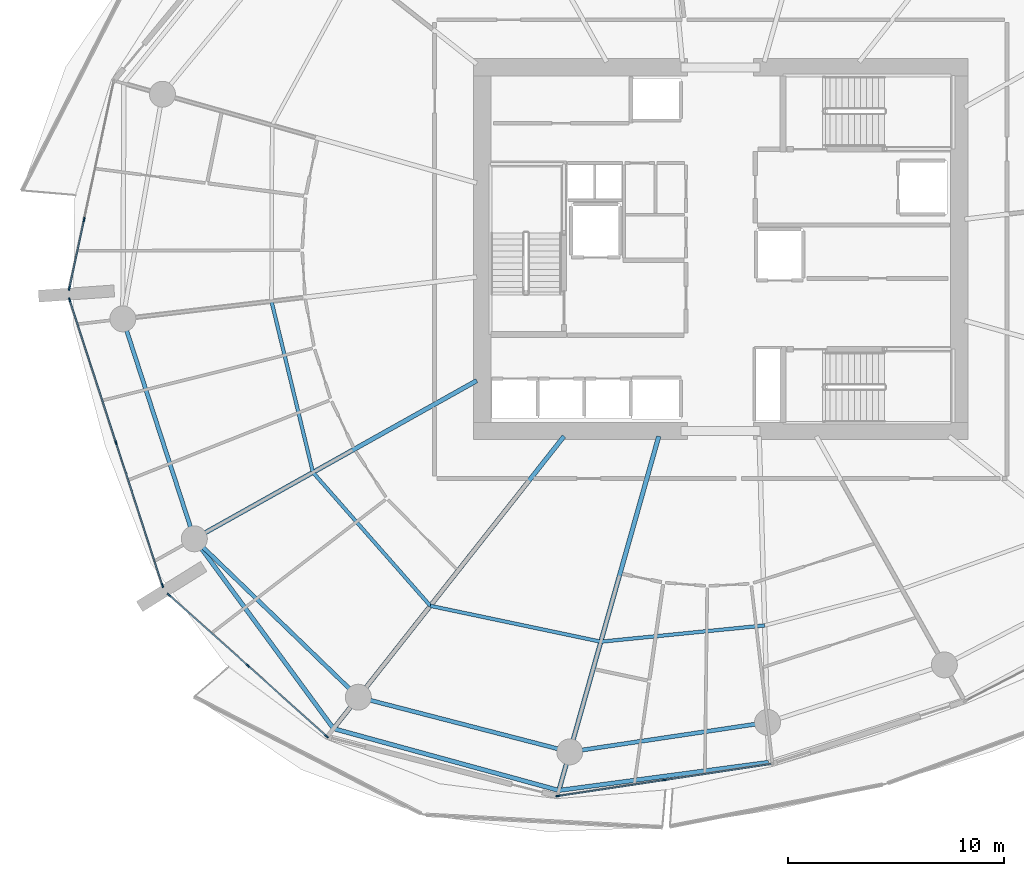
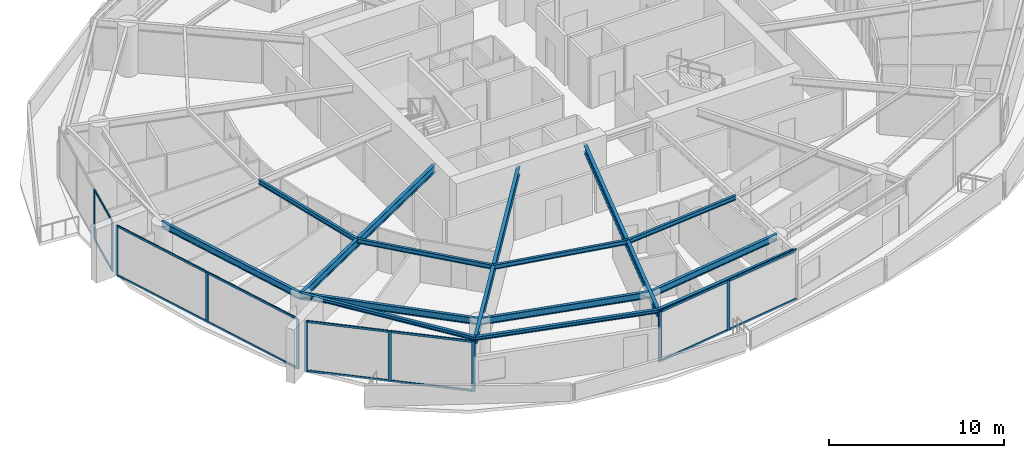
# One storey, part 5 of 23: 24 members, 14 beams, 4 elements without a shape of their own.
"""IFC4 building model written with IfcOpenShell, lengths in metres."""

from ifc_helpers import new_model, si_unit, direction, frame, origin, origin_2d, place, context, subcontext, project, spatial, rectangle, i_section, extrude, material, layer, layer_set, material_profile, profile_set, type_object, element, aggregate, save


model = new_model("IFC4")

# Units and contexts
model_context = context("Model", 3, precision=1e-05, world=origin(), true_north=direction((0.0, 1.0)))
body_context = subcontext(model_context, "Body", "Model", "MODEL_VIEW")
ifc_project = project(units=[si_unit("LENGTHUNIT", "METRE"), si_unit("AREAUNIT", "SQUARE_METRE"), si_unit("VOLUMEUNIT", "CUBIC_METRE"), si_unit("PLANEANGLEUNIT", "RADIAN"), si_unit("MASSUNIT", "GRAM", prefix="KILO")], contexts=[model_context])

# Site, building, storey
site_placement = place(None, origin())
site = spatial("IfcSite", under=ifc_project, at=site_placement, CompositionType="ELEMENT")
building_placement = place(site_placement, origin())
building = spatial("IfcBuilding", under=site, at=building_placement, Name="Kazma Halo Residences", CompositionType="ELEMENT")
storey_placement = place(building_placement, frame((0.0, 0.0, 97.64990234375)))
storey = spatial("IfcBuildingStorey", under=building, at=storey_placement, Name="L24", CompositionType="ELEMENT", Elevation=97.64990234375)

# Beams
ifc_material_1 = material(Name="Steel S355", Category="steel")
ifc_material_profile_1 = material_profile(ifc_material_1, i_section(OverallWidth=0.201904296875, OverallDepth=0.2470703125, WebThickness=0.00732421875, FlangeThickness=0.010986328125, FilletRadius=0.011962890625, at=origin_2d()), Name="W250x49.1")
ifc_profile_set_1 = profile_set([ifc_material_profile_1], Name="Steel S355")
beam_type_1 = type_object("IfcBeamType", Name="BM-BAL-CANT", PredefinedType="BEAM", material=ifc_profile_set_1)
beam_1_placement = place(storey_placement, frame((24.0966796875, 28.613525390625, 3.376708984375), z_axis=(0.59144927253, -0.806342209005, 0.0), x_axis=(0.806342209005, 0.59144927253, 0.0)))
element("IfcBeam", 1, at=beam_1_placement, inside=storey, type_object=beam_type_1, Name="L24 wave-balcony lead tie beam 09", PredefinedType="BEAM", context=body_context, shape_type="SweptSolid", body=[
    extrude(i_section(OverallWidth=0.201904296875, OverallDepth=0.2470703125, WebThickness=0.00732421875, FlangeThickness=0.010986328125, FilletRadius=0.011962890625, at=origin_2d()), origin(), (0.0, 0.0, 1.0), 10.87939453125),
])
beam_2_placement = place(storey_placement, frame((30.53125, 19.841064453125, 3.376708984375), z_axis=(0.964396617, -0.264460139, 0.0), x_axis=(0.264460139, 0.964396617, 0.0)))
element("IfcBeam", 2, at=beam_2_placement, inside=storey, type_object=beam_type_1, Name="L24 wave-balcony tie beam 10", PredefinedType="BEAM", context=body_context, shape_type="SweptSolid", body=[
    extrude(i_section(OverallWidth=0.201904296875, OverallDepth=0.2470703125, WebThickness=0.00732421875, FlangeThickness=0.010986328125, FilletRadius=0.011962890625, at=origin_2d()), origin(), (0.0, 0.0, 1.0), 10.79833984375),
])
beam_3_placement = place(storey_placement, frame((40.945068359375, 16.9853515625, 3.376708984375), z_axis=(0.991182511795, 0.13250369169, 0.0), x_axis=(-0.13250369169, 0.991182511795, 0.0)))
element("IfcBeam", 3, at=beam_3_placement, inside=storey, type_object=beam_type_1, Name="L24 wave-balcony tie beam 11", PredefinedType="BEAM", context=body_context, shape_type="SweptSolid", body=[
    extrude(i_section(OverallWidth=0.201904296875, OverallDepth=0.2470703125, WebThickness=0.00732421875, FlangeThickness=0.010986328125, FilletRadius=0.011962890625, at=origin_2d()), origin(), (0.0, 0.0, 1.0), 9.78369140625),
])
ifc_material_profile_2 = material_profile(ifc_material_1, i_section(OverallWidth=0.208984375, OverallDepth=0.532958984375, WebThickness=0.01025390625, FlangeThickness=0.015625, FilletRadius=0.01611328125, at=origin_2d()), Name="W530x92")
ifc_profile_set_2 = profile_set([ifc_material_profile_2], Name="Steel S355")
beam_type_2 = type_object("IfcBeamType", Name="BM-RAD-W530", PredefinedType="BEAM", material=ifc_profile_set_2)
beam_4_placement = place(storey_placement, frame((37.14990234375, 35.923583984375, 3.233642578125), z_axis=(-0.87249878074, -0.488616288724, 0.0), x_axis=(0.488616288724, -0.87249878074, 0.0)))
element("IfcBeam", 4, at=beam_4_placement, inside=storey, type_object=beam_type_2, Name="L24 radial floor beam 09", PredefinedType="BEAM", context=body_context, shape_type="SweptSolid", body=[
    extrude(i_section(OverallWidth=0.208984375, OverallDepth=0.532958984375, WebThickness=0.01025390625, FlangeThickness=0.015625, FilletRadius=0.01611328125, at=origin_2d()), origin(), (0.0, 0.0, 1.0), 14.960693359375),
])
beam_5_placement = place(storey_placement, frame((41.180908203125, 33.35009765625, 3.233642578125), z_axis=(-0.619093774822, -0.785317068436, 0.0), x_axis=(0.785317068436, -0.619093774822, 0.0)))
element("IfcBeam", 5, at=beam_5_placement, inside=storey, type_object=beam_type_2, Name="L24 radial floor beam 10", PredefinedType="BEAM", context=body_context, shape_type="SweptSolid", body=[
    extrude(i_section(OverallWidth=0.208984375, OverallDepth=0.532958984375, WebThickness=0.01025390625, FlangeThickness=0.015625, FilletRadius=0.01611328125, at=origin_2d()), origin(), (0.0, 0.0, 1.0), 17.201904296875),
])
beam_6_placement = place(storey_placement, frame((45.560302734375, 33.35009765625, 3.233642578125), z_axis=(-0.271434928076, -0.962456793742, 0.0), x_axis=(0.962456793742, -0.271434928076, 0.0)))
element("IfcBeam", 6, at=beam_6_placement, inside=storey, type_object=beam_type_2, Name="L24 radial floor beam 11", PredefinedType="BEAM", context=body_context, shape_type="SweptSolid", body=[
    extrude(i_section(OverallWidth=0.208984375, OverallDepth=0.532958984375, WebThickness=0.01025390625, FlangeThickness=0.015625, FilletRadius=0.01611328125, at=origin_2d()), origin(), (0.0, 0.0, 1.0), 17.003173828125),
])
ifc_material_profile_3 = material_profile(ifc_material_1, i_section(OverallWidth=0.1650390625, OverallDepth=0.31005859375, WebThickness=0.005859375, FlangeThickness=0.009765625, FilletRadius=0.011962890625, at=origin_2d()), Name="W310x38.7")
ifc_profile_set_3 = profile_set([ifc_material_profile_3], Name="Steel S355")
beam_type_3 = type_object("IfcBeamType", Name="BM-SEC-W310B", PredefinedType="JOIST", material=ifc_profile_set_3)
beam_7_placement = place(storey_placement, frame((27.6630859375, 39.593017578125, 3.34521484375), z_axis=(0.235442033286, -0.971888393264, 0.0), x_axis=(0.971888393264, 0.235442033286, 0.0)))
element("IfcBeam", 7, at=beam_7_placement, inside=storey, type_object=beam_type_3, Name="L24 circumferential floor joist 08", PredefinedType="JOIST", context=body_context, shape_type="SweptSolid", body=[
    extrude(i_section(OverallWidth=0.1650390625, OverallDepth=0.31005859375, WebThickness=0.005859375, FlangeThickness=0.009765625, FilletRadius=0.011962890625, at=origin_2d()), origin(), (0.0, 0.0, 1.0), 8.137939453125),
])
beam_8_placement = place(storey_placement, frame((29.5791015625, 31.683837890625, 3.34521484375), z_axis=(0.660379309564, -0.750932199003, 0.0), x_axis=(0.750932199003, 0.660379309564, 0.0)))
element("IfcBeam", 8, at=beam_8_placement, inside=storey, type_object=beam_type_3, Name="L24 circumferential floor joist 09", PredefinedType="JOIST", context=body_context, shape_type="SweptSolid", body=[
    extrude(i_section(OverallWidth=0.1650390625, OverallDepth=0.31005859375, WebThickness=0.005859375, FlangeThickness=0.009765625, FilletRadius=0.011962890625, at=origin_2d()), origin(), (0.0, 0.0, 1.0), 8.215087890625),
])
beam_9_placement = place(storey_placement, frame((35.004150390625, 25.514892578125, 3.34521484375), z_axis=(0.978607976751, -0.205733876255, 0.0), x_axis=(0.205733876255, 0.978607976751, 0.0)))
element("IfcBeam", 9, at=beam_9_placement, inside=storey, type_object=beam_type_3, Name="L24 circumferential floor joist 10", PredefinedType="JOIST", context=body_context, shape_type="SweptSolid", body=[
    extrude(i_section(OverallWidth=0.1650390625, OverallDepth=0.31005859375, WebThickness=0.005859375, FlangeThickness=0.009765625, FilletRadius=0.011962890625, at=origin_2d()), origin(), (0.0, 0.0, 1.0), 8.051513671875),
])
beam_10_placement = place(storey_placement, frame((42.883544921875, 23.8583984375, 3.34521484375), z_axis=(0.995106821048, 0.098804932586, 0.0), x_axis=(-0.098804932586, 0.995106821048, 0.0)))
element("IfcBeam", 10, at=beam_10_placement, inside=storey, type_object=beam_type_3, Name="L24 circumferential floor joist 11", PredefinedType="JOIST", context=body_context, shape_type="SweptSolid", body=[
    extrude(i_section(OverallWidth=0.1650390625, OverallDepth=0.31005859375, WebThickness=0.005859375, FlangeThickness=0.009765625, FilletRadius=0.011962890625, at=origin_2d()), origin(), (0.0, 0.0, 1.0), 7.610595703125),
])
ifc_material_profile_4 = material_profile(ifc_material_1, i_section(OverallWidth=0.18994140625, OverallDepth=0.45703125, WebThickness=0.009033203125, FlangeThickness=0.014404296875, FilletRadius=0.01611328125, at=origin_2d()), Name="W460x74")
ifc_profile_set_4 = profile_set([ifc_material_profile_4], Name="Steel S355")
beam_type_4 = type_object("IfcBeamType", Name="BM-SPN-W460", PredefinedType="BEAM", material=ifc_profile_set_4)
beam_11_placement = place(storey_placement, frame((20.79345703125, 38.77978515625, 3.271484375), z_axis=(0.309017385422, -0.951056389236, 0.0), x_axis=(0.951056389236, 0.309017385422, 0.0)))
element("IfcBeam", 11, at=beam_11_placement, inside=storey, type_object=beam_type_4, Name="L24 perimeter ring beam 08", PredefinedType="BEAM", context=body_context, shape_type="SweptSolid", body=[
    extrude(i_section(OverallWidth=0.18994140625, OverallDepth=0.45703125, WebThickness=0.009033203125, FlangeThickness=0.014404296875, FilletRadius=0.01611328125, at=origin_2d()), origin(), (0.0, 0.0, 1.0), 10.689453125),
])
beam_12_placement = place(storey_placement, frame((24.0966796875, 28.613525390625, 3.271484375), z_axis=(0.719336783114, -0.694661494873, 0.0), x_axis=(0.694661494873, 0.719336783114, 0.0)))
element("IfcBeam", 12, at=beam_12_placement, inside=storey, type_object=beam_type_4, Name="L24 perimeter ring beam 09", PredefinedType="BEAM", context=body_context, shape_type="SweptSolid", body=[
    extrude(i_section(OverallWidth=0.18994140625, OverallDepth=0.45703125, WebThickness=0.009033203125, FlangeThickness=0.014404296875, FilletRadius=0.01611328125, at=origin_2d()), origin(), (0.0, 0.0, 1.0), 10.537353515625),
])
beam_13_placement = place(storey_placement, frame((31.676513671875, 21.293701171875, 3.271484375), z_axis=(0.968124968683, -0.250467652626, 0.0), x_axis=(0.250467652626, 0.968124968683, 0.0)))
element("IfcBeam", 13, at=beam_13_placement, inside=storey, type_object=beam_type_4, Name="L24 perimeter ring beam 10", PredefinedType="BEAM", context=body_context, shape_type="SweptSolid", body=[
    extrude(i_section(OverallWidth=0.18994140625, OverallDepth=0.45703125, WebThickness=0.009033203125, FlangeThickness=0.014404296875, FilletRadius=0.01611328125, at=origin_2d()), origin(), (0.0, 0.0, 1.0), 10.092529296875),
])
beam_14_placement = place(storey_placement, frame((41.447265625, 18.765869140625, 3.271484375), z_axis=(0.989034176303, 0.147686824414, 0.0), x_axis=(-0.147686824414, 0.989034176303, 0.0)))
element("IfcBeam", 14, at=beam_14_placement, inside=storey, type_object=beam_type_4, Name="L24 perimeter ring beam 11", PredefinedType="BEAM", context=body_context, shape_type="SweptSolid", body=[
    extrude(i_section(OverallWidth=0.18994140625, OverallDepth=0.45703125, WebThickness=0.009033203125, FlangeThickness=0.014404296875, FilletRadius=0.01611328125, at=origin_2d()), origin(), (0.0, 0.0, 1.0), 9.242431640625),
])

# Curtain wall, members
ifc_material_2 = material(Name="Aluminium AW-6063 T6 and Triple-Silver Low-E Glass", Category="aluminium")
ifc_layer = layer(ifc_material_2, 0.199951171875)
ifc_layer_set = layer_set([ifc_layer], Name="Aluminium AW-6063 T6 and Triple-Silver Low-E Glass")
curtain_wall_type = type_object("IfcCurtainWallType", Name="CW-SYS-3", PredefinedType="NOTDEFINED", material=ifc_layer_set)
curtain_wall_1_placement = place(storey_placement, origin())
curtain_wall_1 = element("IfcCurtainWall", 15, at=curtain_wall_1_placement, inside=storey, type_object=curtain_wall_type, Name="L24 unitised curtain wall B07", PredefinedType="NOTDEFINED")
ifc_material_3 = material(Name="Aluminium AW-6063 T6", Category="aluminium")
ifc_material_profile_5 = material_profile(ifc_material_3, rectangle(XDim=0.070068359375, YDim=0.199951171875, at=origin_2d()), Name="CWM-70x200")
ifc_profile_set_5 = profile_set([ifc_material_profile_5], Name="Aluminium AW-6063 T6")
member_type_1 = type_object("IfcMemberType", Name="CW-SYS-3-MUL", PredefinedType="MULLION", material=ifc_profile_set_5)
member_1_placement = place(storey_placement, frame((19.004638671875, 43.36865234375, 0.0), z_axis=(0.0, 0.0, 1.0), x_axis=(0.977774176093, -0.209660822677, 0.0)))
member_1 = element("IfcMember", 16, at=member_1_placement, type_object=member_type_1, Name="CWS-3 mullion 3", PredefinedType="MULLION", context=body_context, shape_type="SweptSolid", body=[
    extrude(rectangle(XDim=0.070068359375, YDim=0.199951171875, at=origin_2d()), origin(), (0.0, 0.0, 1.0), 3.5),
])
member_2_placement = place(storey_placement, frame((18.323486328125, 40.192626953125, 0.0), z_axis=(0.0, 0.0, 1.0), x_axis=(0.977774176093, -0.209660822677, 0.0)))
member_2 = element("IfcMember", 17, at=member_2_placement, type_object=member_type_1, Name="CWS-3 mullion 4", PredefinedType="MULLION", context=body_context, shape_type="SweptSolid", body=[
    extrude(rectangle(XDim=0.070068359375, YDim=0.199951171875, at=origin_2d()), origin(), (0.0, 0.0, 1.0), 3.5),
])

curtain_wall_2_placement = place(storey_placement, origin())
curtain_wall_2 = element("IfcCurtainWall", 18, at=curtain_wall_2_placement, inside=storey, type_object=curtain_wall_type, Name="L24 unitised curtain wall B08", PredefinedType="NOTDEFINED")
member_3_placement = place(storey_placement, frame((18.334716796875, 39.6572265625, 0.0), z_axis=(0.0, 0.0, 1.0), x_axis=(0.951057722508, 0.309013282008, 0.0)))
member_3 = element("IfcMember", 19, at=member_3_placement, type_object=member_type_1, Name="CWS-3 mullion 1", PredefinedType="MULLION", context=body_context, shape_type="SweptSolid", body=[
    extrude(rectangle(XDim=0.070068359375, YDim=0.199951171875, at=origin_2d()), origin(), (0.0, 0.0, 1.0), 3.5),
])
member_4_placement = place(storey_placement, frame((20.47900390625, 33.057861328125, 0.0), z_axis=(0.0, 0.0, 1.0), x_axis=(0.951057722508, 0.309013282008, 0.0)))
member_4 = element("IfcMember", 20, at=member_4_placement, type_object=member_type_1, Name="CWS-3 mullion 2", PredefinedType="MULLION", context=body_context, shape_type="SweptSolid", body=[
    extrude(rectangle(XDim=0.070068359375, YDim=0.199951171875, at=origin_2d()), origin(), (0.0, 0.0, 1.0), 3.5),
])
member_5_placement = place(storey_placement, frame((22.623291015625, 26.45849609375, 0.0), z_axis=(0.0, 0.0, 1.0), x_axis=(0.951057722508, 0.309013282008, 0.0)))
member_5 = element("IfcMember", 21, at=member_5_placement, type_object=member_type_1, Name="CWS-3 mullion 3", PredefinedType="MULLION", context=body_context, shape_type="SweptSolid", body=[
    extrude(rectangle(XDim=0.070068359375, YDim=0.199951171875, at=origin_2d()), origin(), (0.0, 0.0, 1.0), 3.5),
])

curtain_wall_3_placement = place(storey_placement, origin())
curtain_wall_3 = element("IfcCurtainWall", 22, at=curtain_wall_3_placement, inside=storey, type_object=curtain_wall_type, Name="L24 unitised curtain wall B09", PredefinedType="NOTDEFINED")
member_6_placement = place(storey_placement, frame((22.928955078125, 26.018798828125, 0.0), z_axis=(0.0, 0.0, 1.0), x_axis=(0.667794957375, 0.744345279359, 0.0)))
member_6 = element("IfcMember", 23, at=member_6_placement, type_object=member_type_1, Name="CWS-3 mullion 1", PredefinedType="MULLION", context=body_context, shape_type="SweptSolid", body=[
    extrude(rectangle(XDim=0.070068359375, YDim=0.199951171875, at=origin_2d()), origin(), (0.0, 0.0, 1.0), 3.5),
])
member_7_placement = place(storey_placement, frame((26.568603515625, 22.75341796875, 0.0), z_axis=(0.0, 0.0, 1.0), x_axis=(0.667794957375, 0.744345279359, 0.0)))
member_7 = element("IfcMember", 24, at=member_7_placement, type_object=member_type_1, Name="CWS-3 mullion 2", PredefinedType="MULLION", context=body_context, shape_type="SweptSolid", body=[
    extrude(rectangle(XDim=0.070068359375, YDim=0.199951171875, at=origin_2d()), origin(), (0.0, 0.0, 1.0), 3.5),
])
member_8_placement = place(storey_placement, frame((30.208251953125, 19.48779296875, 0.0), z_axis=(0.0, 0.0, 1.0), x_axis=(0.667794957375, 0.744345279359, 0.0)))
member_8 = element("IfcMember", 25, at=member_8_placement, type_object=member_type_1, Name="CWS-3 mullion 3", PredefinedType="MULLION", context=body_context, shape_type="SweptSolid", body=[
    extrude(rectangle(XDim=0.070068359375, YDim=0.199951171875, at=origin_2d()), origin(), (0.0, 0.0, 1.0), 3.5),
])

curtain_wall_4_placement = place(storey_placement, origin())
curtain_wall_4 = element("IfcCurtainWall", 26, at=curtain_wall_4_placement, inside=storey, type_object=curtain_wall_type, Name="L24 unitised curtain wall B11", PredefinedType="NOTDEFINED")
member_9_placement = place(storey_placement, frame((40.90576171875, 16.728271484375, 0.0), z_axis=(0.0, 0.0, 1.0), x_axis=(-0.148717330409, 0.988879747814, 0.0)))
member_9 = element("IfcMember", 27, at=member_9_placement, type_object=member_type_1, Name="CWS-3 mullion 1", PredefinedType="MULLION", context=body_context, shape_type="SweptSolid", body=[
    extrude(rectangle(XDim=0.070068359375, YDim=0.199951171875, at=origin_2d()), origin(), (0.0, 0.0, 1.0), 3.5),
])
member_10_placement = place(storey_placement, frame((45.843017578125, 17.470703125, 0.0), z_axis=(0.0, 0.0, 1.0), x_axis=(-0.148717330409, 0.988879747814, 0.0)))
member_10 = element("IfcMember", 28, at=member_10_placement, type_object=member_type_1, Name="CWS-3 mullion 2", PredefinedType="MULLION", context=body_context, shape_type="SweptSolid", body=[
    extrude(rectangle(XDim=0.070068359375, YDim=0.199951171875, at=origin_2d()), origin(), (0.0, 0.0, 1.0), 3.5),
])

# Member
ifc_material_profile_6 = material_profile(ifc_material_3, rectangle(XDim=0.070068359375, YDim=0.14990234375, at=origin_2d()), Name="CWT-70x150")
ifc_profile_set_6 = profile_set([ifc_material_profile_6], Name="Aluminium AW-6063 T6")
member_type_2 = type_object("IfcMemberType", Name="CW-SYS-3-TRN", PredefinedType="USERDEFINED", material=ifc_profile_set_6)
member_11_placement = place(storey_placement, frame((18.997314453125, 43.33447265625, 0.03515625), z_axis=(-0.209717949017, -0.977761924939, 0.0), x_axis=(0.977761924939, -0.209717949017, 0.0)))
member_11 = element("IfcMember", 29, at=member_11_placement, type_object=member_type_2, Name="CWS-3 transom 3.1", ObjectType="TRANSOM", PredefinedType="USERDEFINED", context=body_context, shape_type="SweptSolid", body=[
    extrude(rectangle(XDim=0.070068359375, YDim=0.14990234375, at=origin_2d()), origin(), (0.0, 0.0, 1.0), 3.177978515625),
])

member_12_placement = place(storey_placement, frame((18.997314453125, 43.33447265625, 3.465087890625), z_axis=(-0.209717949017, -0.977761924939, 0.0), x_axis=(0.977761924939, -0.209717949017, 0.0)))
member_12 = element("IfcMember", 30, at=member_12_placement, type_object=member_type_2, Name="CWS-3 transom 3.2", ObjectType="TRANSOM", PredefinedType="USERDEFINED", context=body_context, shape_type="SweptSolid", body=[
    extrude(rectangle(XDim=0.070068359375, YDim=0.14990234375, at=origin_2d()), origin(), (0.0, 0.0, 1.0), 3.177978515625),
])

aggregate(curtain_wall_1, [member_1, member_2, member_11, member_12])

member_13_placement = place(storey_placement, frame((18.345458984375, 39.6240234375, 0.03515625), z_axis=(0.309000079699, -0.95106201204, 0.0), x_axis=(0.95106201204, 0.309000079699, 0.0)))
member_13 = element("IfcMember", 31, at=member_13_placement, type_object=member_type_2, Name="CWS-3 transom 1.1", ObjectType="TRANSOM", PredefinedType="USERDEFINED", context=body_context, shape_type="SweptSolid", body=[
    extrude(rectangle(XDim=0.070068359375, YDim=0.14990234375, at=origin_2d()), origin(), (0.0, 0.0, 1.0), 6.869140625),
])

member_14_placement = place(storey_placement, frame((18.345458984375, 39.6240234375, 3.465087890625), z_axis=(0.309000079699, -0.95106201204, 0.0), x_axis=(0.95106201204, 0.309000079699, 0.0)))
member_14 = element("IfcMember", 32, at=member_14_placement, type_object=member_type_2, Name="CWS-3 transom 1.2", ObjectType="TRANSOM", PredefinedType="USERDEFINED", context=body_context, shape_type="SweptSolid", body=[
    extrude(rectangle(XDim=0.070068359375, YDim=0.14990234375, at=origin_2d()), origin(), (0.0, 0.0, 1.0), 6.869140625),
])

member_15_placement = place(storey_placement, frame((20.48974609375, 33.024658203125, 0.03515625), z_axis=(0.309000079699, -0.95106201204, 0.0), x_axis=(0.95106201204, 0.309000079699, 0.0)))
member_15 = element("IfcMember", 33, at=member_15_placement, type_object=member_type_2, Name="CWS-3 transom 2.1", ObjectType="TRANSOM", PredefinedType="USERDEFINED", context=body_context, shape_type="SweptSolid", body=[
    extrude(rectangle(XDim=0.070068359375, YDim=0.14990234375, at=origin_2d()), origin(), (0.0, 0.0, 1.0), 6.869140625),
])

member_16_placement = place(storey_placement, frame((20.48974609375, 33.024658203125, 3.465087890625), z_axis=(0.309000079699, -0.95106201204, 0.0), x_axis=(0.95106201204, 0.309000079699, 0.0)))
member_16 = element("IfcMember", 34, at=member_16_placement, type_object=member_type_2, Name="CWS-3 transom 2.2", ObjectType="TRANSOM", PredefinedType="USERDEFINED", context=body_context, shape_type="SweptSolid", body=[
    extrude(rectangle(XDim=0.070068359375, YDim=0.14990234375, at=origin_2d()), origin(), (0.0, 0.0, 1.0), 6.869140625),
])

aggregate(curtain_wall_2, [member_3, member_4, member_5, member_13, member_14, member_15, member_16])

member_17_placement = place(storey_placement, frame((22.954833984375, 25.995361328125, 0.03515625), z_axis=(0.744338471453, -0.667802545603, 0.0), x_axis=(0.667802545603, 0.744338471453, 0.0)))
member_17 = element("IfcMember", 35, at=member_17_placement, type_object=member_type_2, Name="CWS-3 transom 1.1", ObjectType="TRANSOM", PredefinedType="USERDEFINED", context=body_context, shape_type="SweptSolid", body=[
    extrude(rectangle(XDim=0.070068359375, YDim=0.14990234375, at=origin_2d()), origin(), (0.0, 0.0, 1.0), 4.81982421875),
])

member_18_placement = place(storey_placement, frame((22.954833984375, 25.995361328125, 3.465087890625), z_axis=(0.744338471453, -0.667802545603, 0.0), x_axis=(0.667802545603, 0.744338471453, 0.0)))
member_18 = element("IfcMember", 36, at=member_18_placement, type_object=member_type_2, Name="CWS-3 transom 1.2", ObjectType="TRANSOM", PredefinedType="USERDEFINED", context=body_context, shape_type="SweptSolid", body=[
    extrude(rectangle(XDim=0.070068359375, YDim=0.14990234375, at=origin_2d()), origin(), (0.0, 0.0, 1.0), 4.81982421875),
])

member_19_placement = place(storey_placement, frame((26.5947265625, 22.72998046875, 0.03515625), z_axis=(0.744338471453, -0.667802545603, 0.0), x_axis=(0.667802545603, 0.744338471453, 0.0)))
member_19 = element("IfcMember", 37, at=member_19_placement, type_object=member_type_2, Name="CWS-3 transom 2.1", ObjectType="TRANSOM", PredefinedType="USERDEFINED", context=body_context, shape_type="SweptSolid", body=[
    extrude(rectangle(XDim=0.070068359375, YDim=0.14990234375, at=origin_2d()), origin(), (0.0, 0.0, 1.0), 4.81982421875),
])

member_20_placement = place(storey_placement, frame((26.5947265625, 22.72998046875, 3.465087890625), z_axis=(0.744338471453, -0.667802545603, 0.0), x_axis=(0.667802545603, 0.744338471453, 0.0)))
member_20 = element("IfcMember", 38, at=member_20_placement, type_object=member_type_2, Name="CWS-3 transom 2.2", ObjectType="TRANSOM", PredefinedType="USERDEFINED", context=body_context, shape_type="SweptSolid", body=[
    extrude(rectangle(XDim=0.070068359375, YDim=0.14990234375, at=origin_2d()), origin(), (0.0, 0.0, 1.0), 4.81982421875),
])

aggregate(curtain_wall_3, [member_6, member_7, member_8, member_17, member_18, member_19, member_20])

member_21_placement = place(storey_placement, frame((40.9404296875, 16.7333984375, 0.03515625), z_axis=(0.988876977991, 0.148735746878, 0.0), x_axis=(-0.148735746878, 0.988876977991, 0.0)))
member_21 = element("IfcMember", 39, at=member_21_placement, type_object=member_type_2, Name="CWS-3 transom 1.1", ObjectType="TRANSOM", PredefinedType="USERDEFINED", context=body_context, shape_type="SweptSolid", body=[
    extrude(rectangle(XDim=0.070068359375, YDim=0.14990234375, at=origin_2d()), origin(), (0.0, 0.0, 1.0), 4.922607421875),
])

member_22_placement = place(storey_placement, frame((40.9404296875, 16.7333984375, 3.465087890625), z_axis=(0.988876977991, 0.148735746878, 0.0), x_axis=(-0.148735746878, 0.988876977991, 0.0)))
member_22 = element("IfcMember", 40, at=member_22_placement, type_object=member_type_2, Name="CWS-3 transom 1.2", ObjectType="TRANSOM", PredefinedType="USERDEFINED", context=body_context, shape_type="SweptSolid", body=[
    extrude(rectangle(XDim=0.070068359375, YDim=0.14990234375, at=origin_2d()), origin(), (0.0, 0.0, 1.0), 4.922607421875),
])

member_23_placement = place(storey_placement, frame((45.87744140625, 17.47607421875, 0.03515625), z_axis=(0.988884271372, 0.148687248386, 0.0), x_axis=(-0.148687248386, 0.988884271372, 0.0)))
member_23 = element("IfcMember", 41, at=member_23_placement, type_object=member_type_2, Name="CWS-3 transom 2.1", ObjectType="TRANSOM", PredefinedType="USERDEFINED", context=body_context, shape_type="SweptSolid", body=[
    extrude(rectangle(XDim=0.070068359375, YDim=0.14990234375, at=origin_2d()), origin(), (0.0, 0.0, 1.0), 4.922607421875),
])

member_24_placement = place(storey_placement, frame((45.87744140625, 17.47607421875, 3.465087890625), z_axis=(0.988884271372, 0.148687248386, 0.0), x_axis=(-0.148687248386, 0.988884271372, 0.0)))
member_24 = element("IfcMember", 42, at=member_24_placement, type_object=member_type_2, Name="CWS-3 transom 2.2", ObjectType="TRANSOM", PredefinedType="USERDEFINED", context=body_context, shape_type="SweptSolid", body=[
    extrude(rectangle(XDim=0.070068359375, YDim=0.14990234375, at=origin_2d()), origin(), (0.0, 0.0, 1.0), 4.922607421875),
])

aggregate(curtain_wall_4, [member_9, member_10, member_21, member_22, member_23, member_24])

save(model, "model.ifc")
